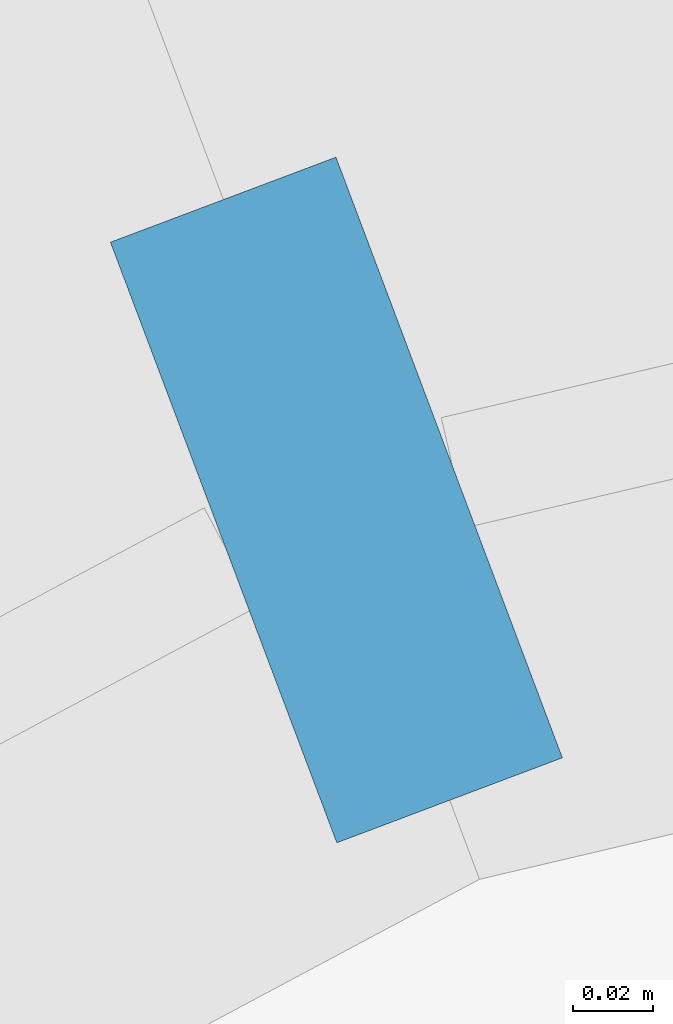
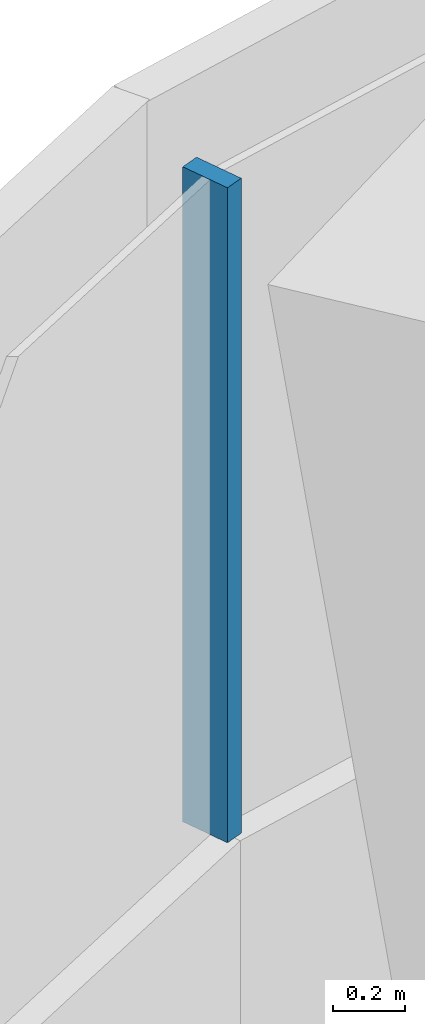
# One storey, part 16 of 33: 1 member, 1 element without a shape of its own.
"""IFC4 building model written with IfcOpenShell, lengths in metres."""

import ifcopenshell
import ifcopenshell.guid

model = None  # the IFC model being written
_history = None  # IfcOwnerHistory: only IFC2X3 demands one
_inside = {}  # id of a spatial element -> (the spatial element, [elements in it])
_under = {}  # id of a project, library or spatial element -> (it, [spatial elements below it])
_declared = {}  # id of a project -> (the project, [libraries it declares])
_typed = {}  # id of a type object -> (the type object, [elements of that type])
_made_of = {}  # id of a material, layer set ... -> (it, [elements and type objects made of it])


def new_model(schema):
    """Start an empty IFC model of exactly this schema.

    Asked for "IFC4X3", IfcOpenShell would pick the latest addendum, in which some entities
    have other attributes; the version numbers below select the first issue.
    IFC2X3 requires an IfcOwnerHistory on every rooted entity: one is made here for all.
    """
    global model, _history
    if schema == "IFC4X3":
        model = ifcopenshell.file(schema_version=(4, 3, 0, 0))
    else:
        model = ifcopenshell.file(schema=schema)
    _inside.clear()
    _under.clear()
    _declared.clear()
    _typed.clear()
    _made_of.clear()
    _history = None
    if model.schema == "IFC2X3":
        org = make("IfcOrganization", Name="unknown")
        user = make(
            "IfcPersonAndOrganization",
            ThePerson=make("IfcPerson", FamilyName="unknown"),
            TheOrganization=org,
        )
        app = make(
            "IfcApplication",
            ApplicationDeveloper=org,
            Version="unknown",
            ApplicationFullName="unknown",
            ApplicationIdentifier="unknown",
        )
        _history = make(
            "IfcOwnerHistory",
            OwningUser=user,
            OwningApplication=app,
            ChangeAction="ADDED",
            CreationDate=0,
        )
    return model


def make(cls, **values):
    """One entity of the class cls with the attributes given. An attribute that is None is left unset."""
    return model.create_entity(
        cls, **{name: value for name, value in values.items() if value is not None}
    )


def rooted(cls, **values):
    """An entity with a GlobalId (a new one), such as an element, a storey or a relation."""
    return make(cls, GlobalId=ifcopenshell.guid.new(), OwnerHistory=_history, **values)


def si_unit(unit_type, name, prefix=None):
    """IfcSIUnit, for example si_unit("LENGTHUNIT", "METRE", prefix="MILLI")."""
    return make("IfcSIUnit", UnitType=unit_type, Prefix=prefix, Name=name)


def assignment(units):
    """IfcUnitAssignment: the units of a project."""
    return None if units is None else make("IfcUnitAssignment", Units=units)


def point(xyz):
    """IfcCartesianPoint."""
    return None if xyz is None else make("IfcCartesianPoint", Coordinates=xyz)


def direction(xyz):
    """IfcDirection."""
    return None if xyz is None else make("IfcDirection", DirectionRatios=xyz)


def frame(location, z_axis=None, x_axis=None):
    """IfcAxis2Placement3D, a coordinate frame: its origin and axes. An axis left out is left unset."""
    return make(
        "IfcAxis2Placement3D",
        Location=point(location),
        Axis=direction(z_axis),
        RefDirection=direction(x_axis),
    )


def frame_2d(location, x_axis=None):
    """IfcAxis2Placement2D, a coordinate frame in the plane: its origin and x axis."""
    return make(
        "IfcAxis2Placement2D", Location=point(location), RefDirection=direction(x_axis)
    )


def origin():
    """The frame at (0, 0, 0) with its axes left unset."""
    return frame((0.0, 0.0, 0.0))


def origin_2d():
    """The frame at (0, 0) in the plane with its x axis left unset."""
    return frame_2d((0.0, 0.0))


def place(relative_to, where):
    """IfcLocalPlacement: puts the frame where relative to a parent placement (None: the world)."""
    return make(
        "IfcLocalPlacement", PlacementRelTo=relative_to, RelativePlacement=where
    )


def context(
    kind, dimensions, precision=None, world=None, true_north=None, identifier=None
):
    """IfcGeometricRepresentationContext, for example the 3D "Model" context."""
    return make(
        "IfcGeometricRepresentationContext",
        ContextIdentifier=identifier,
        ContextType=kind,
        CoordinateSpaceDimension=dimensions,
        Precision=precision,
        WorldCoordinateSystem=world,
        TrueNorth=true_north,
    )


def subcontext(parent, identifier, kind, view, scale=None):
    """IfcGeometricRepresentationSubContext, for example "Body" below "Model"."""
    return make(
        "IfcGeometricRepresentationSubContext",
        ContextIdentifier=identifier,
        ContextType=kind,
        ParentContext=parent,
        TargetScale=scale,
        TargetView=view,
    )


def project(units=None, contexts=None):
    """IfcProject with its units and contexts."""
    return rooted(
        "IfcProject",
        Name="project",
        RepresentationContexts=contexts,
        UnitsInContext=assignment(units),
    )


def spatial(cls, under=None, at=None, **own):
    """A site, building, storey or space (cls), placed at a placement, below another one or the project."""
    s = rooted(cls, ObjectPlacement=at, **own)
    if under is not None:
        _under.setdefault(under.id(), (under, []))[1].append(s)
    return s


def profile(cls, at=None, kind="AREA", **sizes):
    """A parametric profile (cls). Its sizes go by their IFC names, for example OverallWidth=200.0."""
    return make(cls, ProfileType=kind, Position=at, **sizes)


def rectangle(**sizes):
    """IfcRectangleProfileDef."""
    return profile("IfcRectangleProfileDef", **sizes)


def extrude(swept, where, along, depth):
    """IfcExtrudedAreaSolid: the profile swept, set in the frame where, extruded along a direction by depth."""
    return make(
        "IfcExtrudedAreaSolid",
        SweptArea=swept,
        Position=where,
        ExtrudedDirection=direction(along),
        Depth=depth,
    )


def shape(context_of_items, identifier, shape_type, items):
    """IfcShapeRepresentation: the items that make up one representation, for example the "Body"."""
    return make(
        "IfcShapeRepresentation",
        ContextOfItems=context_of_items,
        RepresentationIdentifier=identifier,
        RepresentationType=shape_type,
        Items=items,
    )


def material(Name=None, Category=None):
    """IfcMaterial."""
    return make("IfcMaterial", Name=Name, Category=Category)


def layer(
    of_material, thickness, ventilated=None, Name=None, Category=None, Priority=None
):
    """IfcMaterialLayer: one layer of a wall or slab, of a material (None: an air gap)."""
    return make(
        "IfcMaterialLayer",
        Material=of_material,
        LayerThickness=thickness,
        IsVentilated=ventilated,
        Name=Name,
        Category=Category,
        Priority=Priority,
    )


def layer_set(layers, Name=None):
    """IfcMaterialLayerSet."""
    return make("IfcMaterialLayerSet", MaterialLayers=layers, LayerSetName=Name)


def material_profile(
    of_material, cross_section, Name=None, Category=None, Priority=None
):
    """IfcMaterialProfile: a cross section and its material."""
    return make(
        "IfcMaterialProfile",
        Name=Name,
        Material=of_material,
        Profile=cross_section,
        Priority=Priority,
        Category=Category,
    )


def profile_set(profiles, Name=None, composite=None):
    """IfcMaterialProfileSet."""
    return make(
        "IfcMaterialProfileSet",
        Name=Name,
        MaterialProfiles=profiles,
        CompositeProfile=composite,
    )


def made_of(thing, what):
    """Note that an element or type object is made of a material, layer set ...; save() writes the relation."""
    if what is not None:
        _made_of.setdefault(what.id(), (what, []))[1].append(thing)
    return thing


def type_object(cls, material=None, **own):
    """A type object (cls), such as IfcWallType, which elements share."""
    return made_of(rooted(cls, **own), material)


def element(
    cls,
    number,
    at=None,
    inside=None,
    cuts=None,
    type_object=None,
    material=None,
    context=None,
    identifier="Body",
    shape_type=None,
    held_by="IfcProductDefinitionShape",
    body=None,
    shapes=None,
    **own,
):
    """One element of the class cls, such as IfcWall. Its Tag is "e" and its number.

    at: its placement. inside: the storey or other place that contains it. cuts: it is an
    opening in that element (IfcRelVoidsElement). A single representation is given by context,
    identifier, shape_type and body (its items); several are given by shapes. held_by: the class
    of the entity that holds the representations. save() writes the other relations.
    """
    e = rooted(cls, Tag="e%d" % number, ObjectPlacement=at, **own)
    if body is not None:
        shapes = [shape(context, identifier, shape_type, body)]
    if shapes is not None:
        e.Representation = make(held_by, Representations=shapes)
    if inside is not None:
        _inside.setdefault(inside.id(), (inside, []))[1].append(e)
    if cuts is not None:
        rooted(
            "IfcRelVoidsElement", RelatingBuildingElement=cuts, RelatedOpeningElement=e
        )
    if type_object is not None:
        _typed.setdefault(type_object.id(), (type_object, []))[1].append(e)
    return made_of(e, material)


def aggregate(whole, parts):
    """IfcRelAggregates: a whole, such as a stair, and the parts it consists of."""
    return rooted("IfcRelAggregates", RelatingObject=whole, RelatedObjects=parts)


def save(model, path):
    """Write the relations noted so far, then the file.

    IfcRelAggregates (storeys below a building ...), IfcRelContainedInSpatialStructure (elements
    in a storey), IfcRelDefinesByType, IfcRelAssociatesMaterial and IfcRelDeclares: one each for
    every whole, place, type object, material and project.
    """
    for whole, parts in _under.values():
        aggregate(whole, parts)
    for where, things in _inside.values():
        rooted(
            "IfcRelContainedInSpatialStructure",
            RelatedElements=things,
            RelatingStructure=where,
        )
    for kind, things in _typed.values():
        rooted("IfcRelDefinesByType", RelatedObjects=things, RelatingType=kind)
    for what, things in _made_of.values():
        rooted("IfcRelAssociatesMaterial", RelatedObjects=things, RelatingMaterial=what)
    for by, libraries in _declared.values():
        rooted("IfcRelDeclares", RelatingContext=by, RelatedDefinitions=libraries)
    model.write(path)


model = new_model("IFC4")

# Units and contexts
model_context = context("Model", 3, precision=1e-05, world=origin(), true_north=direction((0.0, 1.0)))
body_context = subcontext(model_context, "Body", "Model", "MODEL_VIEW")
ifc_project = project(units=[si_unit("LENGTHUNIT", "METRE"), si_unit("AREAUNIT", "SQUARE_METRE"), si_unit("VOLUMEUNIT", "CUBIC_METRE"), si_unit("PLANEANGLEUNIT", "RADIAN"), si_unit("MASSUNIT", "GRAM", prefix="KILO")], contexts=[model_context])

# Site, building, storey
site_placement = place(None, origin())
site = spatial("IfcSite", under=ifc_project, at=site_placement, CompositionType="ELEMENT")
building_placement = place(site_placement, origin())
building = spatial("IfcBuilding", under=site, at=building_placement, Name="Tamarind Cross Interchange Tower", CompositionType="ELEMENT")
storey_placement = place(building_placement, frame((0.0, 0.0, 136.75)))
storey = spatial("IfcBuildingStorey", under=building, at=storey_placement, Name="L33", CompositionType="ELEMENT", Elevation=136.75)

# Curtain wall, member
ifc_material = material(Name="Aluminium 6063-T6", Category="aluminium")
ifc_layer = layer(ifc_material, 0.159912109375)
ifc_layer_set = layer_set([ifc_layer], Name="Aluminium 6063-T6")
curtain_wall_type = type_object("IfcCurtainWallType", Name="Office curtain wall, 9.0 m bays", PredefinedType="NOTDEFINED", material=ifc_layer_set)
curtain_wall_placement = place(storey_placement, origin())
curtain_wall = element("IfcCurtainWall", 1, at=curtain_wall_placement, inside=storey, type_object=curtain_wall_type, Name="CWS-L33-13", PredefinedType="NOTDEFINED")
ifc_material_profile = material_profile(ifc_material, rectangle(XDim=0.06005859375, YDim=0.159912109375, at=origin_2d()), Name="Mullion CW1")
ifc_profile_set = profile_set([ifc_material_profile], Name="Aluminium 6063-T6")
member_type = type_object("IfcMemberType", Name="Mullion CW1", PredefinedType="MULLION", material=ifc_profile_set)
member_placement = place(storey_placement, frame((41.222900390625, 18.028076171875, 1.39990234375), z_axis=(0.0, 0.0, 1.0), x_axis=(-0.93573320528, -0.352708617044, 0.0)))
member = element("IfcMember", 2, at=member_placement, type_object=member_type, Name="CWM-L33-13-00", PredefinedType="MULLION", context=body_context, shape_type="SweptSolid", body=[
    extrude(rectangle(XDim=0.06005859375, YDim=0.159912109375, at=origin_2d()), origin(), (0.0, 0.0, 1.0), 2.210205078125),
])
aggregate(curtain_wall, [member])

save(model, "model.ifc")
